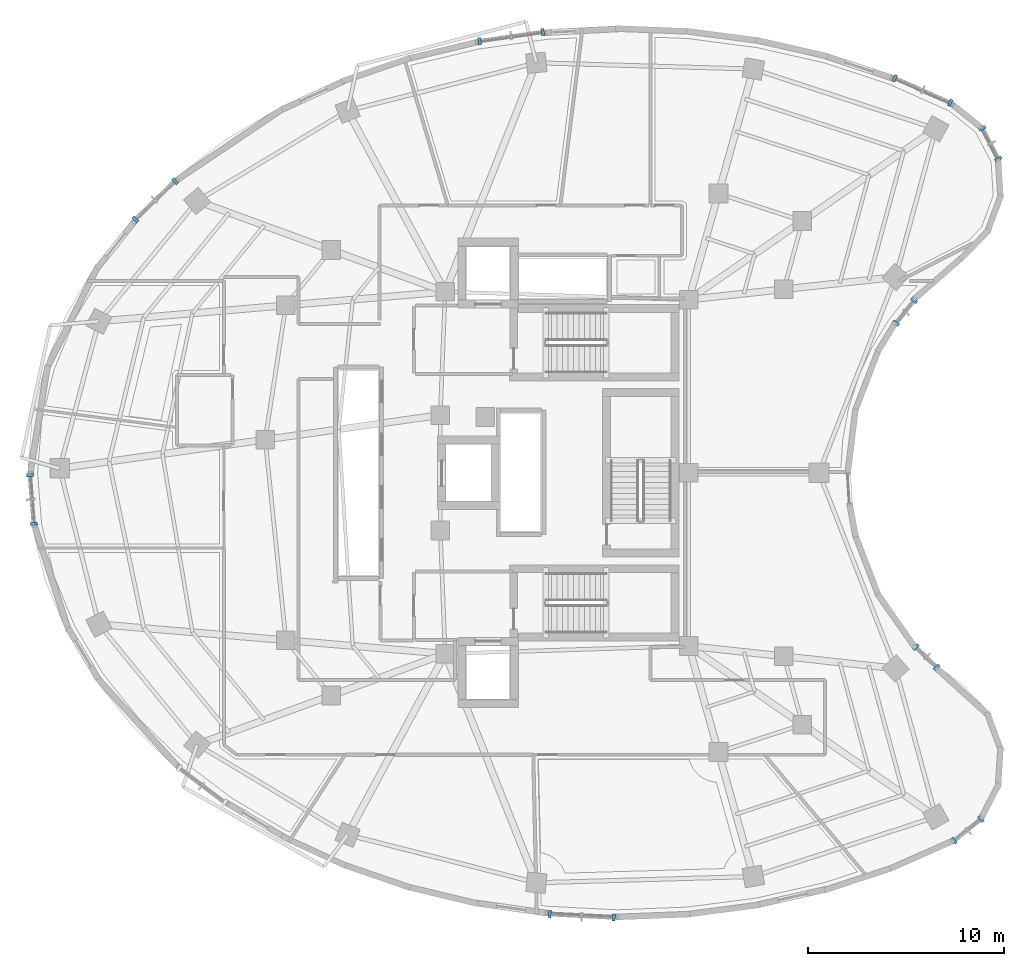
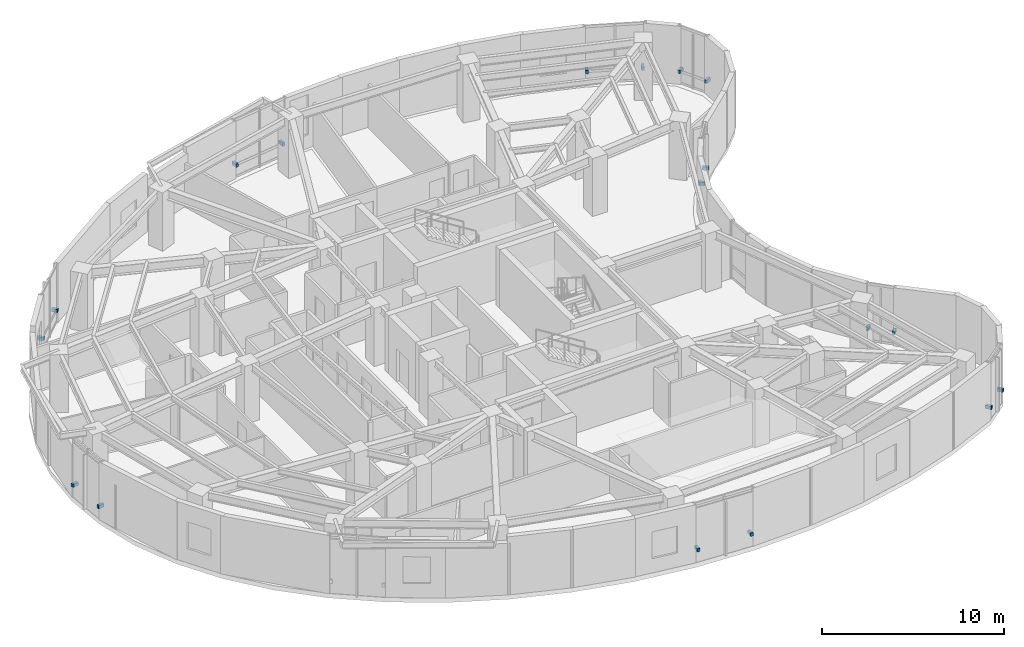
# One storey, part 12 of 15: 18 discrete accessories.
"""IFC4 building model written with IfcOpenShell, lengths in metres."""

from ifc_helpers import new_model, si_unit, direction, frame, origin, origin_2d, place, context, subcontext, project, spatial, rectangle, extrude, material, type_object, element, save


model = new_model("IFC4")

# Units and contexts
model_context = context("Model", 3, precision=1e-05, world=origin(), true_north=direction((0.0, 1.0)))
body_context = subcontext(model_context, "Body", "Model", "MODEL_VIEW")
ifc_project = project(units=[si_unit("LENGTHUNIT", "METRE"), si_unit("AREAUNIT", "SQUARE_METRE"), si_unit("VOLUMEUNIT", "CUBIC_METRE"), si_unit("PLANEANGLEUNIT", "RADIAN"), si_unit("MASSUNIT", "GRAM", prefix="KILO")], contexts=[model_context])

# Site, building, storey
site_placement = place(None, origin())
site = spatial("IfcSite", under=ifc_project, at=site_placement, CompositionType="ELEMENT")
building_placement = place(site_placement, origin())
building = spatial("IfcBuilding", under=site, at=building_placement, Name="Korentha Bioscience Tower", CompositionType="ELEMENT")
storey_placement = place(building_placement, frame((0.0, 0.0, 218.39990234375)))
storey = spatial("IfcBuildingStorey", under=building, at=storey_placement, Name="L50", CompositionType="ELEMENT", Elevation=218.39990234375)

# Discrete accessories
ifc_material = material(Name="Stainless Steel 316", Category="steel")
discrete_accessory_type = type_object("IfcDiscreteAccessoryType", Name="Stainless Steel Solar-Screen Outrigger Bracket", PredefinedType="BRACKET", material=ifc_material)
for number, where, z_axis, x_axis, name in (
    (1, (50.9072265625, 45.908203125, 0.740234375), (0.0, 0.0, 1.0), (-0.913943941578, 0.405840450983, 0.0), "CW-L50-01 Solar-Screen Support Bracket 1"),
    (2, (48.077392578125, 47.164794921875, 0.740234375), (0.0, 0.0, 1.0), (-0.913943941578, 0.405840450983, 0.0), "CW-L50-01 Solar-Screen Support Bracket 2"),
    (3, (30.085205078125, 49.523193359375, 0.740234375), (0.0, 0.0, 1.0), (-0.989901889134, -0.141754188259, 0.0), "CW-L50-07 Solar-Screen Support Bracket 1"),
    (4, (26.860595703125, 49.0615234375, 0.740234375), (0.0, 0.0, 1.0), (-0.989901889134, -0.141754188259, 0.0), "CW-L50-07 Solar-Screen Support Bracket 2"),
    (5, (11.289794921875, 41.903076171875, 0.740234375), (0.0, 0.0, 1.0), (-0.719000359175, -0.695009700297, 0.0), "CW-L50-13 Solar-Screen Support Bracket 1"),
    (6, (9.26708984375, 39.94775390625, 0.740234375), (0.0, 0.0, 1.0), (-0.719000359175, -0.695009700297, 0.0), "CW-L50-13 Solar-Screen Support Bracket 2"),
    (7, (3.876953125, 26.87939453125, 0.740234375), (0.0, 0.0, 1.0), (0.07974803224, -0.996815053736, 0.0), "CW-L50-19 Solar-Screen Support Bracket 1"),
    (8, (4.075439453125, 24.39794921875, 0.740234375), (0.0, 0.0, 1.0), (0.07974803224, -0.996815053736, 0.0), "CW-L50-19 Solar-Screen Support Bracket 2"),
    (9, (30.438720703125, 4.442626953125, 0.740234375), (0.0, 0.0, 1.0), (0.998695818107, -0.051055488397, 0.0), "CW-L50-31 Solar-Screen Support Bracket 1"),
    (10, (33.712646484375, 4.275146484375, 0.740234375), (0.0, 0.0, 1.0), (0.998695818107, -0.051055488397, 0.0), "CW-L50-31 Solar-Screen Support Bracket 2"),
    (11, (51.10205078125, 8.197021484375, 0.740234375), (0.0, 0.0, 1.0), (0.779197616162, 0.626778330008, 0.0), "CW-L50-37 Solar-Screen Support Bracket 1"),
    (12, (52.481201171875, 9.306640625, 0.740234375), (0.0, 0.0, 1.0), (0.779197616162, 0.626778330008, 0.0), "CW-L50-37 Solar-Screen Support Bracket 2"),
    (13, (50.21484375, 17.0537109375, 0.740234375), (0.0, 0.0, 1.0), (-0.713258270268, 0.700901305388, 0.0), "CW-L50-43 Solar-Screen Support Bracket 1"),
    (14, (49.158447265625, 18.092041015625, 0.740234375), (0.0, 0.0, 1.0), (-0.713258270268, 0.700901305388, 0.0), "CW-L50-43 Solar-Screen Support Bracket 2"),
    (15, (48.145751953125, 34.648193359375, 0.740234375), (0.0, 0.0, 1.0), (0.622511989066, 0.782610262819, 0.0), "CW-L50-55 Solar-Screen Support Bracket 1"),
    (16, (49.06787109375, 35.8076171875, 0.740234375), (0.0, 0.0, 1.0), (0.622511989066, 0.782610262819, 0.0), "CW-L50-55 Solar-Screen Support Bracket 2"),
    (17, (53.3662109375, 43.034423828125, 0.740234375), (0.0, 0.0, 1.0), (-0.459738031963, 0.888054582763, 0.0), "CW-L50-61 Solar-Screen Support Bracket 1"),
    (18, (52.552490234375, 44.606201171875, 0.740234375), (0.0, 0.0, 1.0), (-0.459738031963, 0.888054582763, 0.0), "CW-L50-61 Solar-Screen Support Bracket 2"),
):
    element("IfcDiscreteAccessory", number, at=place(storey_placement, frame(where, z_axis=z_axis, x_axis=x_axis)), inside=storey, type_object=discrete_accessory_type, Name=name, PredefinedType="BRACKET", context=body_context, shape_type="SweptSolid", body=[
        extrude(rectangle(XDim=0.159912109375, YDim=0.360107421875, at=origin_2d()), origin(), (0.0, 0.0, 1.0), 0.219970703125),
    ])

save(model, "model.ifc")
